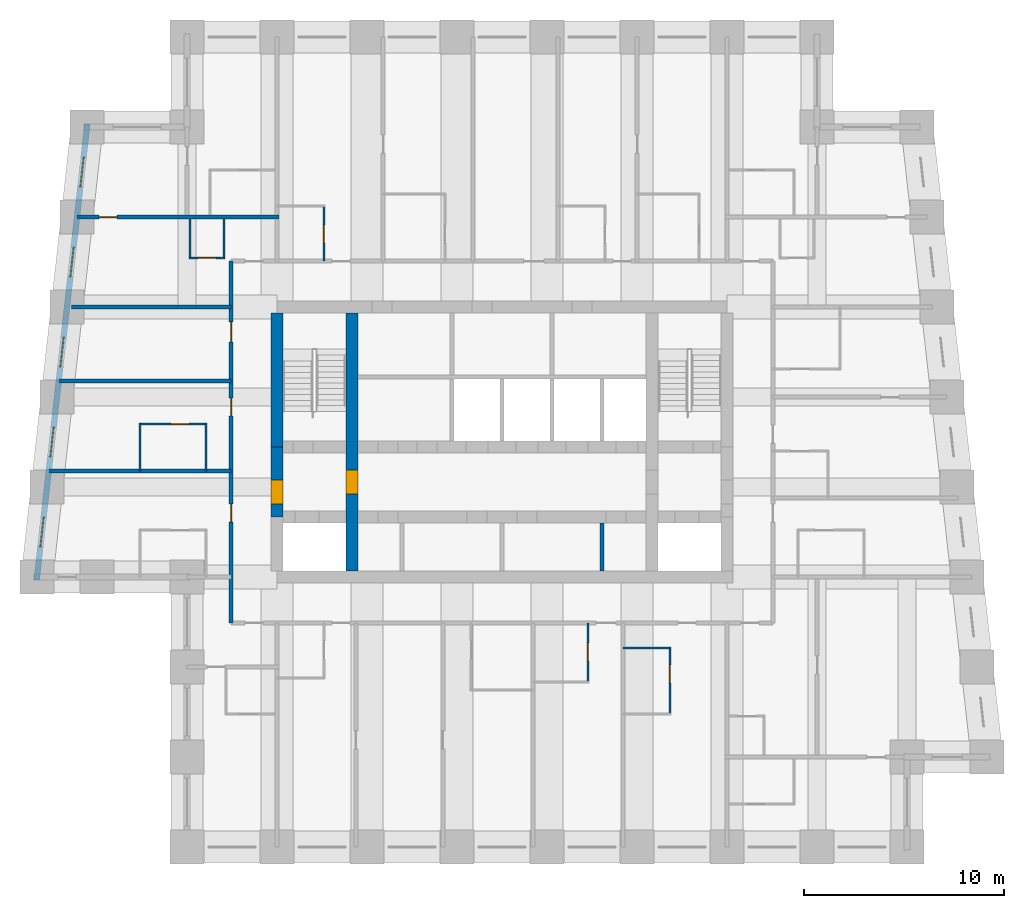
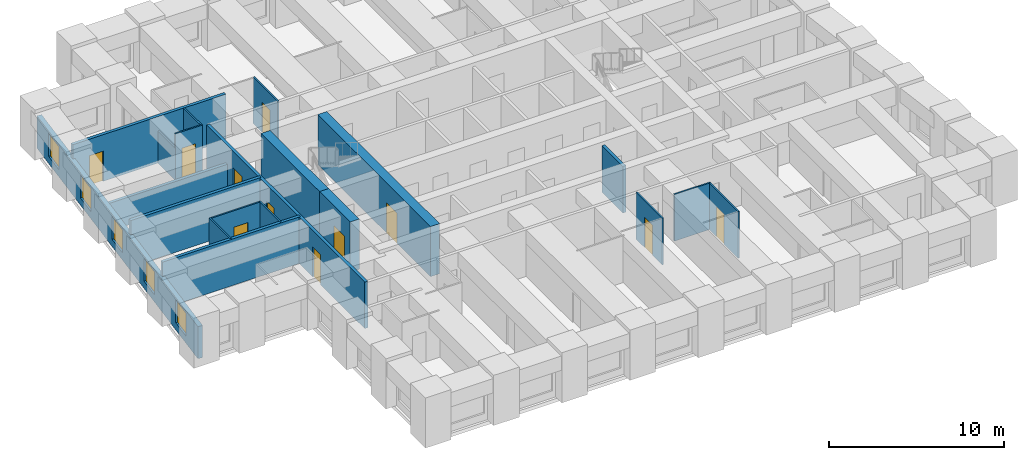
# One storey, part 3 of 8: 20 walls, 11 doors, 5 windows, 16 openings.
"""IFC4 building model written with IfcOpenShell, lengths in metres."""

from ifc_helpers import new_model, si_unit, direction, frame, frame_2d, origin, place, context, subcontext, project, spatial, rectangle, extrude, material, layer, layer_set, type_object, element, fill, save


model = new_model("IFC4")

# Units and contexts
model_context = context("Model", 3, precision=1e-05, world=origin(), true_north=direction((0.0, 1.0)))
body_context = subcontext(model_context, "Body", "Model", "MODEL_VIEW")
ifc_project = project(units=[si_unit("LENGTHUNIT", "METRE"), si_unit("AREAUNIT", "SQUARE_METRE"), si_unit("VOLUMEUNIT", "CUBIC_METRE"), si_unit("PLANEANGLEUNIT", "RADIAN"), si_unit("MASSUNIT", "GRAM", prefix="KILO")], contexts=[model_context])

# Site, building, storey
site_placement = place(None, origin())
site = spatial("IfcSite", under=ifc_project, at=site_placement, CompositionType="ELEMENT")
building_placement = place(site_placement, origin())
building = spatial("IfcBuilding", under=site, at=building_placement, Name="Kilele Tower Hotel", CompositionType="ELEMENT")
storey_placement = place(building_placement, frame((0.0, 0.0, 200.89990234375)))
storey = spatial("IfcBuildingStorey", under=building, at=storey_placement, Name="L52", CompositionType="ELEMENT", Elevation=200.89990234375)

# Wall, opening, door
ifc_material_1 = material(Name="Moisture-resistant board")
ifc_layer_1 = layer(ifc_material_1, 0.10009765625)
ifc_layer_set_1 = layer_set([ifc_layer_1], Name="Moisture-resistant board")
wall_type_1 = type_object("IfcWallType", Name="Bathroom partition 100", PredefinedType="PLUMBINGWALL", material=ifc_layer_set_1)
wall_1_placement = place(storey_placement, frame((29.050048828125, 11.199951171875, 0.0), z_axis=(0.0, 0.0, 1.0), x_axis=(0.0, -1.0, 0.0)))
wall_1 = element("IfcWall", 1, at=wall_1_placement, inside=storey, type_object=wall_type_1, Name="Bathroom partition 100 L52", PredefinedType="PLUMBINGWALL", context=body_context, shape_type="SweptSolid", body=[
    extrude(rectangle(XDim=3.0, YDim=0.10009765625, at=frame_2d((1.5, 0.0))), origin(), (0.0, 0.0, 1.0), 3.25),
])
opening_1_placement = place(wall_1_placement, frame((1.0, 0.0, 0.0)))
opening_1 = element("IfcOpeningElement", 2, at=opening_1_placement, cuts=wall_1, Name="Opening D2A", PredefinedType="OPENING", context=body_context, shape_type="SweptSolid", body=[
    extrude(rectangle(XDim=0.89990234375, YDim=2.10009765625, at=frame_2d((0.449951171875, 1.050048828125))), frame((0.0, 0.06005859375, 0.0), z_axis=(0.0, -1.0, 0.0), x_axis=(1.0, 0.0, 0.0)), (0.0, 0.0, 1.0), 0.1201171875),
])
ifc_material_2 = material(Name="Timber door leaf in hardwood frame", Category="wood")
door_type_1 = type_object("IfcDoorType", Name="Bathroom door 900", OperationType="SINGLE_SWING_LEFT", PredefinedType="DOOR", material=ifc_material_2)
door_1_placement = place(opening_1_placement, origin())
door_1 = element("IfcDoor", 3, at=door_1_placement, inside=storey, type_object=door_type_1, Name="Bathroom door 5204B", OperationType="SINGLE_SWING_LEFT", OverallHeight=2.10009765625, OverallWidth=0.89990234375, PredefinedType="DOOR", context=body_context, shape_type="SweptSolid", body=[
    extrude(rectangle(XDim=0.89990234375, YDim=2.10009765625, at=frame_2d((0.449951171875, 1.050048828125))), frame((0.0, 0.02490234375, 0.0), z_axis=(0.0, -1.0, 0.0), x_axis=(1.0, 0.0, 0.0)), (0.0, 0.0, 1.0), 0.050048828125),
])
fill(opening_1, door_1)

# Wall
wall_2_placement = place(storey_placement, frame((30.800048828125, 9.949951171875, 0.0), z_axis=(0.0, 0.0, 1.0), x_axis=(1.0, 0.0, 0.0)))
element("IfcWall", 4, at=wall_2_placement, inside=storey, type_object=wall_type_1, Name="Bathroom partition 100 L52", PredefinedType="PLUMBINGWALL", context=body_context, shape_type="SweptSolid", body=[
    extrude(rectangle(XDim=2.39990234375, YDim=0.10009765625, at=frame_2d((1.199951171875, 0.0))), origin(), (0.0, 0.0, 1.0), 3.25),
])

# Wall, opening, door
wall_3_placement = place(storey_placement, frame((33.14990234375, 10.0, 0.0), z_axis=(0.0, 0.0, 1.0), x_axis=(0.0, -1.0, 0.0)))
wall_3 = element("IfcWall", 5, at=wall_3_placement, inside=storey, type_object=wall_type_1, Name="Bathroom partition 100 L52", PredefinedType="PLUMBINGWALL", context=body_context, shape_type="SweptSolid", body=[
    extrude(rectangle(XDim=3.39990234375, YDim=0.10009765625, at=frame_2d((1.699951171875, 0.0))), origin(), (0.0, 0.0, 1.0), 3.25),
])
opening_2_placement = place(wall_3_placement, frame((0.89990234375, 0.0, 0.0)))
opening_2 = element("IfcOpeningElement", 6, at=opening_2_placement, cuts=wall_3, Name="Opening D2A", PredefinedType="OPENING", context=body_context, shape_type="SweptSolid", body=[
    extrude(rectangle(XDim=0.89990234375, YDim=2.10009765625, at=frame_2d((0.449951171875, 1.050048828125))), frame((0.0, 0.06005859375, 0.0), z_axis=(0.0, -1.0, 0.0), x_axis=(1.0, 0.0, 0.0)), (0.0, 0.0, 1.0), 0.1201171875),
])
door_2_placement = place(opening_2_placement, origin())
door_2 = element("IfcDoor", 7, at=door_2_placement, inside=storey, type_object=door_type_1, Name="Bathroom door 5205B", OperationType="SINGLE_SWING_LEFT", OverallHeight=2.10009765625, OverallWidth=0.89990234375, PredefinedType="DOOR", context=body_context, shape_type="SweptSolid", body=[
    extrude(rectangle(XDim=0.89990234375, YDim=2.10009765625, at=frame_2d((0.449951171875, 1.050048828125))), frame((0.0, 0.02490234375, 0.0), z_axis=(0.0, -1.0, 0.0), x_axis=(1.0, 0.0, 0.0)), (0.0, 0.0, 1.0), 0.050048828125),
])
fill(opening_2, door_2)

wall_4_placement = place(storey_placement, frame((15.85009765625, 29.300048828125, 0.0), z_axis=(0.0, 0.0, 1.0), x_axis=(0.0, 1.0, 0.0)))
wall_4 = element("IfcWall", 8, at=wall_4_placement, inside=storey, type_object=wall_type_1, Name="Bathroom partition 100 L52", PredefinedType="PLUMBINGWALL", context=body_context, shape_type="SweptSolid", body=[
    extrude(rectangle(XDim=2.800048828125, YDim=0.10009765625, at=frame_2d((1.39990234375, 0.0))), origin(), (0.0, 0.0, 1.0), 3.25),
])
opening_3_placement = place(wall_4_placement, frame((1.7998046875, 0.0, 0.0), z_axis=(0.0, 0.0, 1.0), x_axis=(-1.0, 0.0, 0.0)))
opening_3 = element("IfcOpeningElement", 9, at=opening_3_placement, cuts=wall_4, Name="Opening D2A", PredefinedType="OPENING", context=body_context, shape_type="SweptSolid", body=[
    extrude(rectangle(XDim=0.89990234375, YDim=2.10009765625, at=frame_2d((0.449951171875, 1.050048828125))), frame((0.0, 0.06005859375, 0.0), z_axis=(0.0, -1.0, 0.0), x_axis=(1.0, 0.0, 0.0)), (0.0, 0.0, 1.0), 0.1201171875),
])
door_3_placement = place(opening_3_placement, origin())
door_3 = element("IfcDoor", 10, at=door_3_placement, inside=storey, type_object=door_type_1, Name="Bathroom door 5209B", OperationType="SINGLE_SWING_RIGHT", OverallHeight=2.10009765625, OverallWidth=0.89990234375, PredefinedType="DOOR", context=body_context, shape_type="SweptSolid", body=[
    extrude(rectangle(XDim=0.89990234375, YDim=2.10009765625, at=frame_2d((0.449951171875, 1.050048828125))), frame((0.0, 0.02490234375, 0.0), z_axis=(0.0, -1.0, 0.0), x_axis=(1.0, 0.0, 0.0)), (0.0, 0.0, 1.0), 0.050048828125),
])
fill(opening_3, door_3)

# Walls
for number, where, z_axis, x_axis, name in (
    (11, (9.949951171875, 18.800048828125, 0.0), (0.0, 0.0, 1.0), (0.0, 1.0, 0.0), "Bathroom partition 100 L52"),
    (12, (6.64990234375, 18.800048828125, 0.0), (0.0, 0.0, 1.0), (0.0, 1.0, 0.0), "Bathroom partition 100 L52"),
):
    element("IfcWall", number, at=place(storey_placement, frame(where, z_axis=z_axis, x_axis=x_axis)), inside=storey, type_object=wall_type_1, Name=name, PredefinedType="PLUMBINGWALL", context=body_context, shape_type="SweptSolid", body=[
        extrude(rectangle(XDim=2.39990234375, YDim=0.10009765625, at=frame_2d((1.199951171875, 0.0))), origin(), (0.0, 0.0, 1.0), 3.25),
    ])

# Wall, opening, door
wall_5_placement = place(storey_placement, frame((10.0, 21.14990234375, 0.0), z_axis=(0.0, 0.0, 1.0), x_axis=(-1.0, 0.0, 0.0)))
wall_5 = element("IfcWall", 13, at=wall_5_placement, inside=storey, type_object=wall_type_1, Name="Bathroom partition 100 L52", PredefinedType="PLUMBINGWALL", context=body_context, shape_type="SweptSolid", body=[
    extrude(rectangle(XDim=3.39990234375, YDim=0.10009765625, at=frame_2d((1.699951171875, 0.0))), origin(), (0.0, 0.0, 1.0), 3.25),
])
opening_4_placement = place(wall_5_placement, frame((1.7998046875, 0.0, 0.0), z_axis=(0.0, 0.0, 1.0), x_axis=(-1.0, 0.0, 0.0)))
opening_4 = element("IfcOpeningElement", 14, at=opening_4_placement, cuts=wall_5, Name="Opening D2A", PredefinedType="OPENING", context=body_context, shape_type="SweptSolid", body=[
    extrude(rectangle(XDim=0.89990234375, YDim=2.10009765625, at=frame_2d((0.449951171875, 1.050048828125))), frame((0.0, 0.06005859375, 0.0), z_axis=(0.0, -1.0, 0.0), x_axis=(1.0, 0.0, 0.0)), (0.0, 0.0, 1.0), 0.1201171875),
])
door_4_placement = place(opening_4_placement, origin())
door_4 = element("IfcDoor", 15, at=door_4_placement, inside=storey, type_object=door_type_1, Name="Bathroom door 5215B", OperationType="SINGLE_SWING_RIGHT", OverallHeight=2.10009765625, OverallWidth=0.89990234375, PredefinedType="DOOR", context=body_context, shape_type="SweptSolid", body=[
    extrude(rectangle(XDim=0.89990234375, YDim=2.10009765625, at=frame_2d((0.449951171875, 1.050048828125))), frame((0.0, 0.02490234375, 0.0), z_axis=(0.0, -1.0, 0.0), x_axis=(1.0, 0.0, 0.0)), (0.0, 0.0, 1.0), 0.050048828125),
])
fill(opening_4, door_4)

# Walls
wall_6_placement = place(storey_placement, frame((9.14990234375, 31.39990234375, 0.0), z_axis=(0.0, 0.0, 1.0), x_axis=(0.0, -1.0, 0.0)))
element("IfcWall", 16, at=wall_6_placement, inside=storey, type_object=wall_type_1, Name="Bathroom partition 100 L52", PredefinedType="PLUMBINGWALL", context=body_context, shape_type="SweptSolid", body=[
    extrude(rectangle(XDim=2.0, YDim=0.10009765625, at=frame_2d((1.0, 0.0))), origin(), (0.0, 0.0, 1.0), 2.25),
])
wall_7_placement = place(storey_placement, frame((10.85009765625, 31.39990234375, 0.0), z_axis=(0.0, 0.0, 1.0), x_axis=(0.0, -1.0, 0.0)))
element("IfcWall", 17, at=wall_7_placement, inside=storey, type_object=wall_type_1, Name="Bathroom partition 100 L52", PredefinedType="PLUMBINGWALL", context=body_context, shape_type="SweptSolid", body=[
    extrude(rectangle(XDim=2.0, YDim=0.10009765625, at=frame_2d((1.0, 0.0))), origin(), (0.0, 0.0, 1.0), 3.25),
])

# Wall, opening, door
wall_8_placement = place(storey_placement, frame((10.89990234375, 29.449951171875, 0.0), z_axis=(0.0, 0.0, 1.0), x_axis=(-1.0, 0.0, 0.0)))
wall_8 = element("IfcWall", 18, at=wall_8_placement, inside=storey, type_object=wall_type_1, Name="Bathroom partition 100 L52", PredefinedType="PLUMBINGWALL", context=body_context, shape_type="SweptSolid", body=[
    extrude(rectangle(XDim=1.7998046875, YDim=0.10009765625, at=frame_2d((0.89990234375, 0.0))), origin(), (0.0, 0.0, 1.0), 3.25),
])
opening_5_placement = place(wall_8_placement, frame((0.449951171875, 0.0, 0.0)))
opening_5 = element("IfcOpeningElement", 19, at=opening_5_placement, cuts=wall_8, Name="Opening D2A", PredefinedType="OPENING", context=body_context, shape_type="SweptSolid", body=[
    extrude(rectangle(XDim=0.89990234375, YDim=2.10009765625, at=frame_2d((0.449951171875, 1.050048828125))), frame((0.0, 0.06005859375, 0.0), z_axis=(0.0, -1.0, 0.0), x_axis=(1.0, 0.0, 0.0)), (0.0, 0.0, 1.0), 0.1201171875),
])
door_5_placement = place(opening_5_placement, origin())
door_5 = element("IfcDoor", 20, at=door_5_placement, inside=storey, type_object=door_type_1, Name="Bathroom door 5225P", OperationType="SINGLE_SWING_LEFT", OverallHeight=2.10009765625, OverallWidth=0.89990234375, PredefinedType="DOOR", context=body_context, shape_type="SweptSolid", body=[
    extrude(rectangle(XDim=0.89990234375, YDim=2.10009765625, at=frame_2d((0.449951171875, 1.050048828125))), frame((0.0, 0.02490234375, 0.0), z_axis=(0.0, -1.0, 0.0), x_axis=(1.0, 0.0, 0.0)), (0.0, 0.0, 1.0), 0.050048828125),
])
fill(opening_5, door_5)

ifc_material_3 = material(Name="Concrete C70/85", Category="concrete")
ifc_layer_2 = layer(ifc_material_3, 0.60009765625)
ifc_layer_set_2 = layer_set([ifc_layer_2], Name="Concrete C70/85")
wall_type_2 = type_object("IfcWallType", Name="Core wall 600 C70/85", PredefinedType="SHEAR", material=ifc_layer_set_2)
wall_9_placement = place(storey_placement, frame((17.25, 13.800048828125, 0.0), z_axis=(0.0, 0.0, 1.0), x_axis=(0.0, 1.0, 0.0)))
wall_9 = element("IfcWall", 21, at=wall_9_placement, inside=storey, type_object=wall_type_2, Name="Core wall IW L52", PredefinedType="SHEAR", context=body_context, shape_type="SweptSolid", body=[
    extrude(rectangle(XDim=12.89990234375, YDim=0.60009765625, at=frame_2d((6.449951171875, 0.0))), origin(), (0.0, 0.0, 1.0), 3.5),
])
opening_6_placement = place(wall_9_placement, frame((3.85009765625, 0.0, 0.0)))
opening_6 = element("IfcOpeningElement", 22, at=opening_6_placement, cuts=wall_9, Name="Opening D4", PredefinedType="OPENING", context=body_context, shape_type="SweptSolid", body=[
    extrude(rectangle(XDim=1.199951171875, YDim=2.10009765625, at=frame_2d((0.60009765625, 1.050048828125))), frame((0.0, 0.31005859375, 0.0), z_axis=(0.0, -1.0, 0.0), x_axis=(1.0, 0.0, 0.0)), (0.0, 0.0, 1.0), 0.6201171875),
])
ifc_material_4 = material(Name="Timber door leaf in hardwood frame", Category="wood")
door_type_2 = type_object("IfcDoorType", Name="Firefighting lobby door 1200", OperationType="SINGLE_SWING_LEFT", PredefinedType="DOOR", material=ifc_material_4)
door_6_placement = place(opening_6_placement, origin())
door_6 = element("IfcDoor", 23, at=door_6_placement, inside=storey, type_object=door_type_2, Name="Lobby door L52", OperationType="SINGLE_SWING_LEFT", OverallHeight=2.10009765625, OverallWidth=1.199951171875, PredefinedType="DOOR", context=body_context, shape_type="SweptSolid", body=[
    extrude(rectangle(XDim=1.199951171875, YDim=2.10009765625, at=frame_2d((0.60009765625, 1.050048828125))), frame((0.0, 0.2998046875, 0.0), z_axis=(0.0, -1.0, 0.0), x_axis=(1.0, 0.0, 0.0)), (0.0, 0.0, 1.0), 0.599609375),
])
fill(opening_6, door_6)

# Wall
wall_10_placement = place(storey_placement, frame((13.5, 26.699951171875, 0.0), z_axis=(0.0, 0.0, 1.0), x_axis=(0.0, -1.0, 0.0)))
element("IfcWall", 24, at=wall_10_placement, inside=storey, type_object=wall_type_2, Name="Core wall W1 L52", PredefinedType="SHEAR", context=body_context, shape_type="SweptSolid", body=[
    extrude(rectangle(XDim=6.699951171875, YDim=0.60009765625, at=frame_2d((3.35009765625, 0.0))), origin(), (0.0, 0.0, 1.0), 3.5),
])

# Wall, opening, door
wall_11_placement = place(storey_placement, frame((13.5, 20.0, 0.0), z_axis=(0.0, 0.0, 1.0), x_axis=(0.0, -1.0, 0.0)))
wall_11 = element("IfcWall", 25, at=wall_11_placement, inside=storey, type_object=wall_type_2, Name="Core wall W2 L52", PredefinedType="SHEAR", context=body_context, shape_type="SweptSolid", body=[
    extrude(rectangle(XDim=3.5, YDim=0.60009765625, at=frame_2d((1.75, 0.0))), origin(), (0.0, 0.0, 1.0), 3.5),
])
opening_7_placement = place(wall_11_placement, frame((1.64990234375, 0.0, 0.0)))
opening_7 = element("IfcOpeningElement", 26, at=opening_7_placement, cuts=wall_11, Name="Opening D4", PredefinedType="OPENING", context=body_context, shape_type="SweptSolid", body=[
    extrude(rectangle(XDim=1.199951171875, YDim=2.10009765625, at=frame_2d((0.60009765625, 1.050048828125))), frame((0.0, 0.31005859375, 0.0), z_axis=(0.0, -1.0, 0.0), x_axis=(1.0, 0.0, 0.0)), (0.0, 0.0, 1.0), 0.6201171875),
])
door_7_placement = place(opening_7_placement, origin())
door_7 = element("IfcDoor", 27, at=door_7_placement, inside=storey, type_object=door_type_2, Name="Lobby door L52", OperationType="SINGLE_SWING_RIGHT", OverallHeight=2.10009765625, OverallWidth=1.199951171875, PredefinedType="DOOR", context=body_context, shape_type="SweptSolid", body=[
    extrude(rectangle(XDim=1.199951171875, YDim=2.10009765625, at=frame_2d((0.60009765625, 1.050048828125))), frame((0.0, 0.2998046875, 0.0), z_axis=(0.0, -1.0, 0.0), x_axis=(1.0, 0.0, 0.0)), (0.0, 0.0, 1.0), 0.599609375),
])
fill(opening_7, door_7)

# Wall, openings, doors
ifc_material_5 = material(Name="Blockwork, plastered both sides", Category="masonry")
ifc_layer_3 = layer(ifc_material_5, 0.199951171875)
ifc_layer_set_3 = layer_set([ifc_layer_3], Name="Blockwork, plastered both sides")
wall_type_3 = type_object("IfcWallType", Name="Corridor wall 200", PredefinedType="PARTITIONING", material=ifc_layer_set_3)
wall_12_placement = place(storey_placement, frame((11.199951171875, 11.199951171875, 0.0), z_axis=(0.0, 0.0, 1.0), x_axis=(0.0, 1.0, 0.0)))
wall_12 = element("IfcWall", 28, at=wall_12_placement, inside=storey, type_object=wall_type_3, Name="Corridor wall 200 L52", PredefinedType="PARTITIONING", context=body_context, shape_type="SweptSolid", body=[
    extrude(rectangle(XDim=18.10009765625, YDim=0.199951171875, at=frame_2d((9.050048828125, 0.0))), origin(), (0.0, 0.0, 1.0), 3.25),
])
opening_8_placement = place(wall_12_placement, frame((5.050048828125, 0.0, 0.0)))
opening_8 = element("IfcOpeningElement", 29, at=opening_8_placement, cuts=wall_12, Name="Opening D1", PredefinedType="OPENING", context=body_context, shape_type="SweptSolid", body=[
    extrude(rectangle(XDim=0.89990234375, YDim=2.10009765625, at=frame_2d((0.449951171875, 1.050048828125))), frame((0.0, 0.10986328125, 0.0), z_axis=(0.0, -1.0, 0.0), x_axis=(1.0, 0.0, 0.0)), (0.0, 0.0, 1.0), 0.219970703125),
])
opening_9_placement = place(wall_12_placement, frame((10.35009765625, 0.0, 0.0)))
opening_9 = element("IfcOpeningElement", 30, at=opening_9_placement, cuts=wall_12, Name="Opening D1", PredefinedType="OPENING", context=body_context, shape_type="SweptSolid", body=[
    extrude(rectangle(XDim=0.89990234375, YDim=2.10009765625, at=frame_2d((0.449951171875, 1.050048828125))), frame((0.0, 0.10986328125, 0.0), z_axis=(0.0, -1.0, 0.0), x_axis=(1.0, 0.0, 0.0)), (0.0, 0.0, 1.0), 0.219970703125),
])
opening_10_placement = place(wall_12_placement, frame((14.050048828125, 0.0, 0.0)))
opening_10 = element("IfcOpeningElement", 31, at=opening_10_placement, cuts=wall_12, Name="Opening D8", PredefinedType="OPENING", context=body_context, shape_type="SweptSolid", body=[
    extrude(rectangle(XDim=1.0, YDim=2.10009765625, at=frame_2d((0.5, 1.050048828125))), frame((0.0, 0.10986328125, 0.0), z_axis=(0.0, -1.0, 0.0), x_axis=(1.0, 0.0, 0.0)), (0.0, 0.0, 1.0), 0.219970703125),
])
ifc_material_6 = material(Name="Timber door leaf in hardwood frame", Category="wood")
door_type_3 = type_object("IfcDoorType", Name="Door 1000", OperationType="SINGLE_SWING_LEFT", PredefinedType="DOOR", material=ifc_material_6)
door_8_placement = place(opening_10_placement, origin())
door_8 = element("IfcDoor", 32, at=door_8_placement, inside=storey, type_object=door_type_3, Name="Room entrance 5216", OperationType="SINGLE_SWING_RIGHT", OverallHeight=2.10009765625, OverallWidth=1.0, PredefinedType="DOOR", context=body_context, shape_type="SweptSolid", body=[
    extrude(rectangle(XDim=1.0, YDim=2.10009765625, at=frame_2d((0.5, 1.050048828125))), frame((0.0, 0.02490234375, 0.0), z_axis=(0.0, -1.0, 0.0), x_axis=(1.0, 0.0, 0.0)), (0.0, 0.0, 1.0), 0.050048828125),
])
fill(opening_10, door_8)
ifc_material_7 = material(Name="Timber door leaf in hardwood frame", Category="wood")
door_type_4 = type_object("IfcDoorType", Name="Guest room entrance door 900", OperationType="SINGLE_SWING_LEFT", PredefinedType="DOOR", material=ifc_material_7)
door_9_placement = place(opening_8_placement, origin())
door_9 = element("IfcDoor", 33, at=door_9_placement, inside=storey, type_object=door_type_4, Name="Room entrance 5214", OperationType="SINGLE_SWING_LEFT", OverallHeight=2.10009765625, OverallWidth=0.89990234375, PredefinedType="DOOR", context=body_context, shape_type="SweptSolid", body=[
    extrude(rectangle(XDim=0.89990234375, YDim=2.10009765625, at=frame_2d((0.449951171875, 1.050048828125))), frame((0.0, 0.02490234375, 0.0), z_axis=(0.0, -1.0, 0.0), x_axis=(1.0, 0.0, 0.0)), (0.0, 0.0, 1.0), 0.050048828125),
])
fill(opening_8, door_9)
door_10_placement = place(opening_9_placement, origin())
door_10 = element("IfcDoor", 34, at=door_10_placement, inside=storey, type_object=door_type_4, Name="Room entrance 5215", OperationType="SINGLE_SWING_RIGHT", OverallHeight=2.10009765625, OverallWidth=0.89990234375, PredefinedType="DOOR", context=body_context, shape_type="SweptSolid", body=[
    extrude(rectangle(XDim=0.89990234375, YDim=2.10009765625, at=frame_2d((0.449951171875, 1.050048828125))), frame((0.0, 0.02490234375, 0.0), z_axis=(0.0, -1.0, 0.0), x_axis=(1.0, 0.0, 0.0)), (0.0, 0.0, 1.0), 0.050048828125),
])
fill(opening_9, door_10)

# Walls
ifc_material_8 = material(Name="Blockwork, plastered both sides", Category="masonry")
ifc_layer_4 = layer(ifc_material_8, 0.199951171875)
ifc_layer_set_4 = layer_set([ifc_layer_4], Name="Blockwork, plastered both sides")
wall_type_4 = type_object("IfcWallType", Name="Party wall 200", PredefinedType="PARTITIONING", material=ifc_layer_set_4)
wall_13_placement = place(storey_placement, frame((11.199951171875, 18.800048828125, 0.0), z_axis=(0.0, 0.0, 1.0), x_axis=(-1.0, 0.0, 0.0)))
element("IfcWall", 35, at=wall_13_placement, inside=storey, type_object=wall_type_4, Name="Party wall 200 L52", PredefinedType="PARTITIONING", context=body_context, shape_type="SweptSolid", body=[
    extrude(rectangle(XDim=9.110107421875, YDim=0.199951171875, at=frame_2d((4.55517578125, 0.0))), origin(), (0.0, 0.0, 1.0), 3.25),
])
wall_14_placement = place(storey_placement, frame((11.199951171875, 23.300048828125, 0.0), z_axis=(0.0, 0.0, 1.0), x_axis=(-1.0, 0.0, 0.0)))
element("IfcWall", 36, at=wall_14_placement, inside=storey, type_object=wall_type_4, Name="Party wall 200 L52", PredefinedType="PARTITIONING", context=body_context, shape_type="SweptSolid", body=[
    extrude(rectangle(XDim=8.610107421875, YDim=0.199951171875, at=frame_2d((4.30517578125, 0.0))), origin(), (0.0, 0.0, 1.0), 3.25),
])
wall_15_placement = place(storey_placement, frame((11.199951171875, 27.0, 0.0), z_axis=(0.0, 0.0, 1.0), x_axis=(-1.0, 0.0, 0.0)))
element("IfcWall", 37, at=wall_15_placement, inside=storey, type_object=wall_type_4, Name="Party wall 200 L52", PredefinedType="PARTITIONING", context=body_context, shape_type="SweptSolid", body=[
    extrude(rectangle(XDim=7.976806640625, YDim=0.199951171875, at=frame_2d((3.98828125, 0.0))), origin(), (0.0, 0.0, 1.0), 1.9501953125),
])

# Wall, opening, door
wall_16_placement = place(storey_placement, frame((13.60009765625, 31.5, 0.0), z_axis=(0.0, 0.0, 1.0), x_axis=(-1.0, 0.0, 0.0)))
wall_16 = element("IfcWall", 38, at=wall_16_placement, inside=storey, type_object=wall_type_4, Name="Party wall 200 L52", PredefinedType="PARTITIONING", context=body_context, shape_type="SweptSolid", body=[
    extrude(rectangle(XDim=10.09912109375, YDim=0.199951171875, at=frame_2d((5.049560546875, 0.0))), origin(), (0.0, 0.0, 1.0), 3.25),
])
opening_11_placement = place(wall_16_placement, frame((8.9990234375, 0.0, 0.0), z_axis=(0.0, 0.0, 1.0), x_axis=(-1.0, 0.0, 0.0)))
opening_11 = element("IfcOpeningElement", 39, at=opening_11_placement, cuts=wall_16, Name="Opening D3", PredefinedType="OPENING", context=body_context, shape_type="SweptSolid", body=[
    extrude(rectangle(XDim=0.89990234375, YDim=2.10009765625, at=frame_2d((0.449951171875, 1.050048828125))), frame((0.0, 0.10986328125, 0.0), z_axis=(0.0, -1.0, 0.0), x_axis=(1.0, 0.0, 0.0)), (0.0, 0.0, 1.0), 0.219970703125),
])
ifc_material_9 = material(Name="Timber door leaf in hardwood frame", Category="wood")
door_type_5 = type_object("IfcDoorType", Name="Suite internal door 900", OperationType="SINGLE_SWING_LEFT", PredefinedType="DOOR", material=ifc_material_9)
door_11_placement = place(opening_11_placement, origin())
door_11 = element("IfcDoor", 40, at=door_11_placement, inside=storey, type_object=door_type_5, Name="Suite door 5226", OperationType="SINGLE_SWING_LEFT", OverallHeight=2.10009765625, OverallWidth=0.89990234375, PredefinedType="DOOR", context=body_context, shape_type="SweptSolid", body=[
    extrude(rectangle(XDim=0.89990234375, YDim=2.10009765625, at=frame_2d((0.449951171875, 1.050048828125))), frame((0.0, 0.02490234375, 0.0), z_axis=(0.0, -1.0, 0.0), x_axis=(1.0, 0.0, 0.0)), (0.0, 0.0, 1.0), 0.050048828125),
])
fill(opening_11, door_11)

# Wall, openings, windows
ifc_material_10 = material(Name="Concrete C40/50 precast", Category="concrete")
ifc_layer_5 = layer(ifc_material_10, 0.260009765625, Name="Precast backing", Category="LoadBearing")
ifc_material_11 = material(Name="Reconstituted stone finish", Category="masonry")
ifc_layer_6 = layer(ifc_material_11, 0.0400390625, Name="Face mix", Category="Finish")
ifc_layer_set_5 = layer_set([ifc_layer_5, ifc_layer_6], Name="Precast concrete C40/50, reconstituted stone finish")
wall_type_5 = type_object("IfcWallType", Name="Precast stone facade wall 300", PredefinedType="STANDARD", material=ifc_layer_set_5)
wall_17_placement = place(storey_placement, frame((4.0166015625, 36.149169921875, 0.0), z_axis=(0.0, 0.0, 1.0), x_axis=(-0.110433862387, -0.993883475081, 0.0)))
wall_17 = element("IfcWall", 41, at=wall_17_placement, inside=storey, type_object=wall_type_5, Name="Facade wall L52 edge 12", PredefinedType="STANDARD", context=body_context, shape_type="SweptSolid", body=[
    extrude(rectangle(XDim=22.938720703125, YDim=0.300048828125, at=frame_2d((11.46923828125, 0.0))), origin(), (0.0, 0.0, 1.0), 2.25),
])
opening_12_placement = place(wall_17_placement, frame((1.6640625, 0.0, 0.5)))
opening_12 = element("IfcOpeningElement", 42, at=opening_12_placement, cuts=wall_17, Name="Opening W3", PredefinedType="OPENING", context=body_context, shape_type="SweptSolid", body=[
    extrude(rectangle(XDim=1.5, YDim=1.60009765625, at=frame_2d((0.75, 0.800048828125))), frame((0.0, 0.159912109375, 0.0), z_axis=(0.0, -1.0, 0.0), x_axis=(1.0, 0.0, 0.0)), (0.0, 0.0, 1.0), 0.320068359375),
])
opening_13_placement = place(wall_17_placement, frame((6.19189453125, 0.0, 0.5)))
opening_13 = element("IfcOpeningElement", 43, at=opening_13_placement, cuts=wall_17, Name="Opening W3", PredefinedType="OPENING", context=body_context, shape_type="SweptSolid", body=[
    extrude(rectangle(XDim=1.5, YDim=1.60009765625, at=frame_2d((0.75, 0.800048828125))), frame((0.0, 0.159912109375, 0.0), z_axis=(0.0, -1.0, 0.0), x_axis=(1.0, 0.0, 0.0)), (0.0, 0.0, 1.0), 0.320068359375),
])
opening_14_placement = place(wall_17_placement, frame((10.718994140625, 0.0, 0.5)))
opening_14 = element("IfcOpeningElement", 44, at=opening_14_placement, cuts=wall_17, Name="Opening W3", PredefinedType="OPENING", context=body_context, shape_type="SweptSolid", body=[
    extrude(rectangle(XDim=1.5, YDim=1.60009765625, at=frame_2d((0.75, 0.800048828125))), frame((0.0, 0.159912109375, 0.0), z_axis=(0.0, -1.0, 0.0), x_axis=(1.0, 0.0, 0.0)), (0.0, 0.0, 1.0), 0.320068359375),
])
opening_15_placement = place(wall_17_placement, frame((15.2470703125, 0.0, 0.5)))
opening_15 = element("IfcOpeningElement", 45, at=opening_15_placement, cuts=wall_17, Name="Opening W3", PredefinedType="OPENING", context=body_context, shape_type="SweptSolid", body=[
    extrude(rectangle(XDim=1.5, YDim=1.60009765625, at=frame_2d((0.75, 0.800048828125))), frame((0.0, 0.159912109375, 0.0), z_axis=(0.0, -1.0, 0.0), x_axis=(1.0, 0.0, 0.0)), (0.0, 0.0, 1.0), 0.320068359375),
])
opening_16_placement = place(wall_17_placement, frame((19.77490234375, 0.0, 0.5)))
opening_16 = element("IfcOpeningElement", 46, at=opening_16_placement, cuts=wall_17, Name="Opening W3", PredefinedType="OPENING", context=body_context, shape_type="SweptSolid", body=[
    extrude(rectangle(XDim=1.5, YDim=1.60009765625, at=frame_2d((0.75, 0.800048828125))), frame((0.0, 0.159912109375, 0.0), z_axis=(0.0, -1.0, 0.0), x_axis=(1.0, 0.0, 0.0)), (0.0, 0.0, 1.0), 0.320068359375),
])
ifc_material_12 = material(Name="Aluminium frame, clear double glazing", Category="aluminium")
window_type = type_object("IfcWindowType", Name="Window W3 1500 x 1600", PartitioningType="SINGLE_PANEL", PredefinedType="WINDOW", material=ifc_material_12)
window_1_placement = place(opening_12_placement, origin())
window_1 = element("IfcWindow", 47, at=window_1_placement, inside=storey, type_object=window_type, Name="Window L52", OverallHeight=1.60009765625, OverallWidth=1.5, PartitioningType="SINGLE_PANEL", PredefinedType="WINDOW", context=body_context, shape_type="SweptSolid", body=[
    extrude(rectangle(XDim=1.5, YDim=1.60009765625, at=frame_2d((0.75, 0.800048828125))), frame((0.0, 0.030029296875, 0.0), z_axis=(0.0, -1.0, 0.0), x_axis=(1.0, 0.0, 0.0)), (0.0, 0.0, 1.0), 0.06005859375),
])
fill(opening_12, window_1)
window_2_placement = place(opening_13_placement, origin())
window_2 = element("IfcWindow", 48, at=window_2_placement, inside=storey, type_object=window_type, Name="Window L52", OverallHeight=1.60009765625, OverallWidth=1.5, PartitioningType="SINGLE_PANEL", PredefinedType="WINDOW", context=body_context, shape_type="SweptSolid", body=[
    extrude(rectangle(XDim=1.5, YDim=1.60009765625, at=frame_2d((0.75, 0.800048828125))), frame((0.0, 0.030029296875, 0.0), z_axis=(0.0, -1.0, 0.0), x_axis=(1.0, 0.0, 0.0)), (0.0, 0.0, 1.0), 0.06005859375),
])
fill(opening_13, window_2)
window_3_placement = place(opening_14_placement, origin())
window_3 = element("IfcWindow", 49, at=window_3_placement, inside=storey, type_object=window_type, Name="Window L52", OverallHeight=1.60009765625, OverallWidth=1.5, PartitioningType="SINGLE_PANEL", PredefinedType="WINDOW", context=body_context, shape_type="SweptSolid", body=[
    extrude(rectangle(XDim=1.5, YDim=1.60009765625, at=frame_2d((0.75, 0.800048828125))), frame((0.0, 0.030029296875, 0.0), z_axis=(0.0, -1.0, 0.0), x_axis=(1.0, 0.0, 0.0)), (0.0, 0.0, 1.0), 0.06005859375),
])
fill(opening_14, window_3)
window_4_placement = place(opening_15_placement, origin())
window_4 = element("IfcWindow", 50, at=window_4_placement, inside=storey, type_object=window_type, Name="Window L52", OverallHeight=1.60009765625, OverallWidth=1.5, PartitioningType="SINGLE_PANEL", PredefinedType="WINDOW", context=body_context, shape_type="SweptSolid", body=[
    extrude(rectangle(XDim=1.5, YDim=1.60009765625, at=frame_2d((0.75, 0.800048828125))), frame((0.0, 0.030029296875, 0.0), z_axis=(0.0, -1.0, 0.0), x_axis=(1.0, 0.0, 0.0)), (0.0, 0.0, 1.0), 0.06005859375),
])
fill(opening_15, window_4)
window_5_placement = place(opening_16_placement, origin())
window_5 = element("IfcWindow", 51, at=window_5_placement, inside=storey, type_object=window_type, Name="Window L52", OverallHeight=1.60009765625, OverallWidth=1.5, PartitioningType="SINGLE_PANEL", PredefinedType="WINDOW", context=body_context, shape_type="SweptSolid", body=[
    extrude(rectangle(XDim=1.5, YDim=1.60009765625, at=frame_2d((0.75, 0.800048828125))), frame((0.0, 0.030029296875, 0.0), z_axis=(0.0, -1.0, 0.0), x_axis=(1.0, 0.0, 0.0)), (0.0, 0.0, 1.0), 0.06005859375),
])
fill(opening_16, window_5)

# Wall
ifc_material_13 = material(Name="Blockwork, fire-rated", Category="masonry")
ifc_layer_7 = layer(ifc_material_13, 0.199951171875)
ifc_layer_set_6 = layer_set([ifc_layer_7], Name="Blockwork, fire-rated")
wall_type_6 = type_object("IfcWallType", Name="Shaft wall 200", PredefinedType="PARTITIONING", material=ifc_layer_set_6)
wall_18_placement = place(storey_placement, frame((29.75, 13.800048828125, 0.0), z_axis=(0.0, 0.0, 1.0), x_axis=(0.0, 1.0, 0.0)))
element("IfcWall", 52, at=wall_18_placement, inside=storey, type_object=wall_type_6, Name="Shaft wall 200 L52", PredefinedType="PARTITIONING", context=body_context, shape_type="SweptSolid", body=[
    extrude(rectangle(XDim=2.39990234375, YDim=0.199951171875, at=frame_2d((1.199951171875, 0.0))), origin(), (0.0, 0.0, 1.0), 3.25),
])

save(model, "model.ifc")
